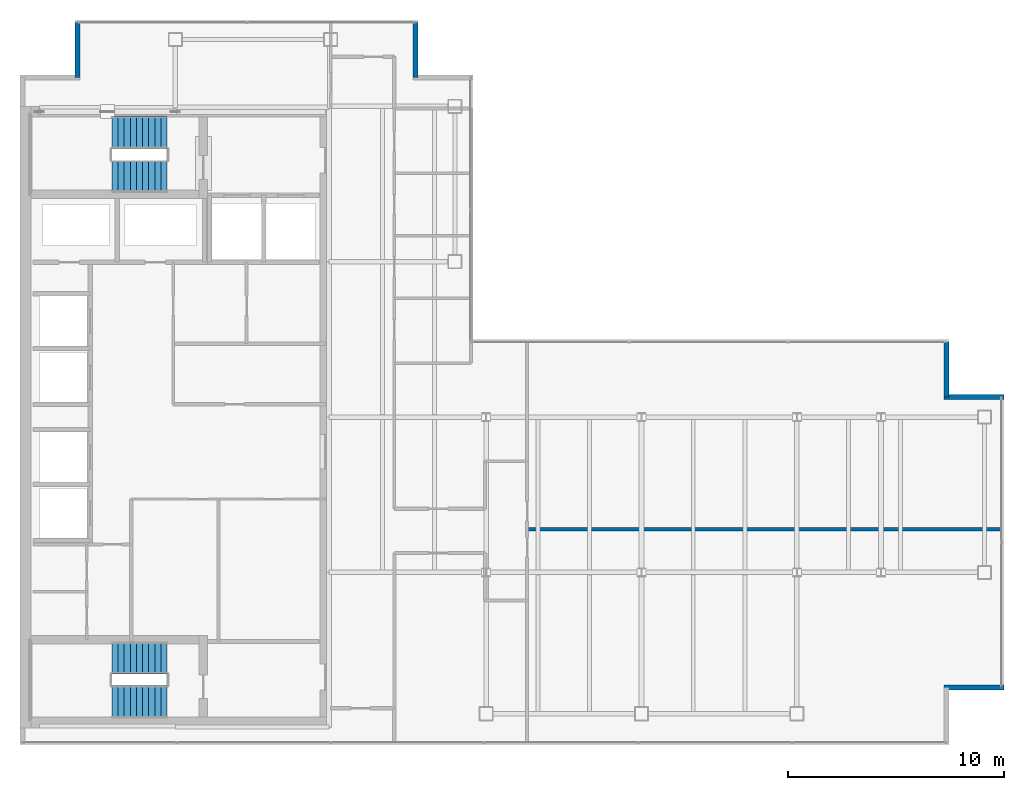
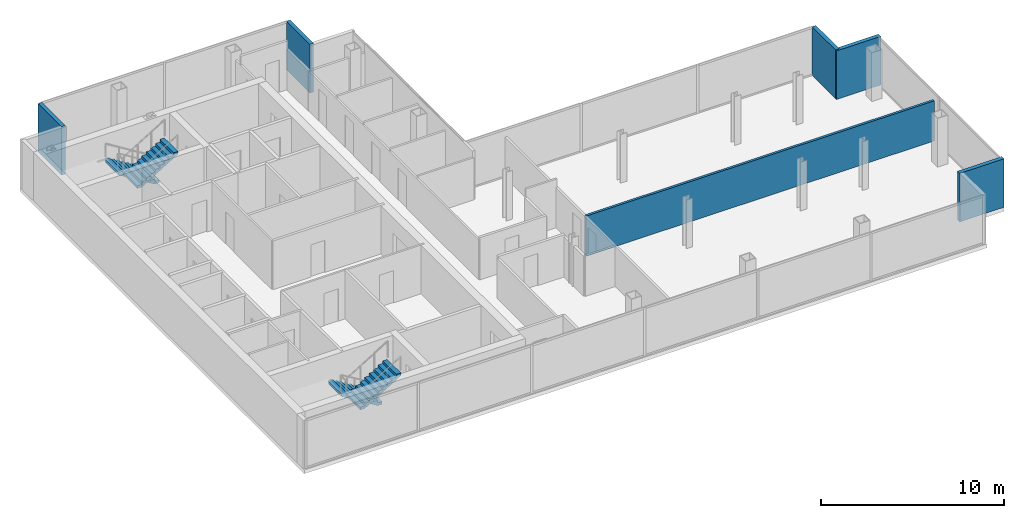
# One storey, part 22 of 23: 6 walls, 4 stair flights, 2 elements without a shape of their own.
"""IFC4 building model written with IfcOpenShell, lengths in metres."""

from ifc_helpers import new_model, si_unit, direction, frame, frame_2d, origin, place, context, subcontext, project, spatial, polyline, rectangle, outline, extrude, material, layer, layer_set, type_object, element, aggregate, save


model = new_model("IFC4")

# Units and contexts
model_context = context("Model", 3, precision=1e-05, world=origin(), true_north=direction((0.0, 1.0)))
body_context = subcontext(model_context, "Body", "Model", "MODEL_VIEW")
ifc_project = project(units=[si_unit("LENGTHUNIT", "METRE"), si_unit("AREAUNIT", "SQUARE_METRE"), si_unit("VOLUMEUNIT", "CUBIC_METRE"), si_unit("PLANEANGLEUNIT", "RADIAN"), si_unit("MASSUNIT", "GRAM", prefix="KILO")], contexts=[model_context])

# Site, building, storey
site_placement = place(None, origin())
site = spatial("IfcSite", under=ifc_project, at=site_placement, CompositionType="ELEMENT")
building_placement = place(site_placement, origin())
building = spatial("IfcBuilding", under=site, at=building_placement, Name="Cobrela Telecom Tower", CompositionType="ELEMENT")
storey_placement = place(building_placement, frame((0.0, 0.0, 255.14990234375)))
storey = spatial("IfcBuildingStorey", under=building, at=storey_placement, Name="L66", CompositionType="ELEMENT", Elevation=255.14990234375)

# Walls
ifc_material_1 = material(Name="Concrete C40/50", Category="concrete")
ifc_layer_1 = layer(ifc_material_1, 0.239990234375)
ifc_layer_set_1 = layer_set([ifc_layer_1], Name="Concrete C40/50")
wall_type_1 = type_object("IfcWallType", Name="WALL-EXT-300", PredefinedType="STANDARD", material=ifc_layer_set_1)
for number, where, z_axis, x_axis, name in (
    (1, (2.669921875, 37.330078125, 0.0), (0.0, 0.0, 1.0), (0.0, 1.0, 0.0), "L66 Insulated Facade Wall 04"),
    (2, (18.330078125, 39.8798828125, 0.0), (0.0, 0.0, 1.0), (0.0, -1.0, 0.0), "L66 Insulated Facade Wall 06"),
):
    element("IfcWall", number, at=place(storey_placement, frame(where, z_axis=z_axis, x_axis=x_axis)), inside=storey, type_object=wall_type_1, Name=name, PredefinedType="STANDARD", context=body_context, shape_type="SweptSolid", body=[
        extrude(rectangle(XDim=2.5498046875, YDim=0.239990234375, at=frame_2d((1.27490234375, 0.0))), origin(), (0.0, 0.0, 1.0), 3.239990234375),
    ])
wall_1_placement = place(storey_placement, frame((42.929931640625, 25.080078125, 0.0), z_axis=(0.0, 0.0, 1.0), x_axis=(0.0, -1.0, 0.0)))
element("IfcWall", 3, at=wall_1_placement, inside=storey, type_object=wall_type_1, Name="L66 Insulated Facade Wall 10", PredefinedType="STANDARD", context=body_context, shape_type="SweptSolid", body=[
    extrude(rectangle(XDim=2.550048828125, YDim=0.239990234375, at=frame_2d((1.27490234375, 0.0))), origin(), (0.0, 0.0, 1.0), 3.239990234375),
])
for number, where, z_axis, x_axis, name in (
    (4, (42.81005859375, 22.530029296875, 0.0), (0.0, 0.0, 1.0), (1.0, 0.0, 0.0), "L66 Insulated Facade Wall 11"),
    (5, (45.60009765625, 9.070068359375, 0.0), (0.0, 0.0, 1.0), (-1.0, 0.0, 0.0), "L66 Insulated Facade Wall 13"),
):
    element("IfcWall", number, at=place(storey_placement, frame(where, z_axis=z_axis, x_axis=x_axis)), inside=storey, type_object=wall_type_1, Name=name, PredefinedType="STANDARD", context=body_context, shape_type="SweptSolid", body=[
        extrude(rectangle(XDim=2.7900390625, YDim=0.239990234375, at=frame_2d((1.39501953125, 0.0))), origin(), (0.0, 0.0, 1.0), 3.239990234375),
    ])
ifc_material_2 = material(Name="Fire-Rated Gypsum Plasterboard")
ifc_layer_2 = layer(ifc_material_2, 0.14990234375)
ifc_layer_set_2 = layer_set([ifc_layer_2], Name="Fire-Rated Gypsum Plasterboard")
wall_type_2 = type_object("IfcWallType", Name="WALL-PART-150", PredefinedType="PARTITIONING", material=ifc_layer_set_2)
wall_2_placement = place(storey_placement, frame((23.5, 16.39990234375, 0.0), z_axis=(0.0, 0.0, 1.0), x_axis=(1.0, 0.0, 0.0)))
element("IfcWall", 6, at=wall_2_placement, inside=storey, type_object=wall_type_2, Name="L66 Interior Partition W-FE-H", PredefinedType="PARTITIONING", context=body_context, shape_type="SweptSolid", body=[
    extrude(rectangle(XDim=21.97998046875, YDim=0.14990234375, at=frame_2d((10.989990234375, 0.0))), origin(), (0.0, 0.0, 1.0), 2.676025390625),
])

# Stair, stair flights
stair_type = type_object("IfcStairType", Name="STAIR-CORE", PredefinedType="HALF_TURN_STAIR", material=ifc_material_1)
stair_1_placement = place(storey_placement, origin())
stair_1 = element("IfcStair", 7, at=stair_1_placement, inside=storey, type_object=stair_type, Name="L66 Smokeproof Exit Stair ST1", PredefinedType="HALF_TURN_STAIR")
stair_flight_type = type_object("IfcStairFlightType", Name="FLIGHT-CORE", PredefinedType="STRAIGHT", material=ifc_material_1)
stair_flight_1_placement = place(storey_placement, frame((6.820068359375, 34.800048828125, 0.0), z_axis=(0.0, 0.0, 1.0), x_axis=(-1.0, 0.0, 0.0)))
stair_flight_1 = element("IfcStairFlight", 8, at=stair_flight_1_placement, type_object=stair_flight_type, Name="ST1 flight 1", NumberOfRisers=10, NumberOfTreads=9, PredefinedType="STRAIGHT", RiserHeight=0.175, TreadLength=0.285, context=body_context, shape_type="SweptSolid", body=[
    extrude(outline(polyline([(0.0, 0.0), (0.0, 0.175048828125), (0.284912109375, 0.175048828125), (0.284912109375, 0.35009765625), (0.570068359375, 0.35009765625), (0.570068359375, 0.52490234375), (0.85498046875, 0.52490234375), (0.85498046875, 0.699951171875), (1.139892578125, 0.699951171875), (1.139892578125, 0.875), (1.425048828125, 0.875), (1.425048828125, 1.050048828125), (1.7099609375, 1.050048828125), (1.7099609375, 1.22509765625), (1.9951171875, 1.22509765625), (1.9951171875, 1.39990234375), (2.280029296875, 1.39990234375), (2.280029296875, 1.574951171875), (2.56494140625, 1.574951171875), (2.56494140625, 1.75), (2.56494140625, 1.399169921875), (0.286376953125, 0.0), (0.0, 0.0)])), frame((0.0, 0.75, 0.0), z_axis=(0.0, -1.0, 0.0), x_axis=(1.0, 0.0, 0.0)), (0.0, 0.0, 1.0), 1.5),
])
stair_flight_2_placement = place(storey_placement, frame((4.2548828125, 32.75, 1.75), z_axis=(0.0, 0.0, 1.0), x_axis=(1.0, 0.0, 0.0)))
stair_flight_2 = element("IfcStairFlight", 9, at=stair_flight_2_placement, type_object=stair_flight_type, Name="ST1 flight 2", NumberOfRisers=10, NumberOfTreads=9, PredefinedType="STRAIGHT", RiserHeight=0.175, TreadLength=0.285, context=body_context, shape_type="SweptSolid", body=[
    extrude(outline(polyline([(0.0, 0.0), (0.0, 0.175048828125), (0.284912109375, 0.175048828125), (0.284912109375, 0.35009765625), (0.570068359375, 0.35009765625), (0.570068359375, 0.52490234375), (0.85498046875, 0.52490234375), (0.85498046875, 0.699951171875), (1.139892578125, 0.699951171875), (1.139892578125, 0.875), (1.425048828125, 0.875), (1.425048828125, 1.050048828125), (1.7099609375, 1.050048828125), (1.7099609375, 1.22509765625), (1.9951171875, 1.22509765625), (1.9951171875, 1.39990234375), (2.280029296875, 1.39990234375), (2.280029296875, 1.574951171875), (2.56494140625, 1.574951171875), (2.56494140625, 1.75), (2.56494140625, 1.399169921875), (0.286376953125, 0.0), (0.0, 0.0)])), frame((0.0, 0.75, 0.0), z_axis=(0.0, -1.0, 0.0), x_axis=(1.0, 0.0, 0.0)), (0.0, 0.0, 1.0), 1.5),
])
aggregate(stair_1, [stair_flight_1, stair_flight_2])

stair_2_placement = place(storey_placement, origin())
stair_2 = element("IfcStair", 10, at=stair_2_placement, inside=storey, type_object=stair_type, Name="L66 Smokeproof Exit Stair ST2", PredefinedType="HALF_TURN_STAIR")
stair_flight_3_placement = place(storey_placement, frame((6.820068359375, 10.449951171875, 0.0), z_axis=(0.0, 0.0, 1.0), x_axis=(-1.0, 0.0, 0.0)))
stair_flight_3 = element("IfcStairFlight", 11, at=stair_flight_3_placement, type_object=stair_flight_type, Name="ST2 flight 1", NumberOfRisers=10, NumberOfTreads=9, PredefinedType="STRAIGHT", RiserHeight=0.175, TreadLength=0.285, context=body_context, shape_type="SweptSolid", body=[
    extrude(outline(polyline([(0.0, 0.0), (0.0, 0.175048828125), (0.284912109375, 0.175048828125), (0.284912109375, 0.35009765625), (0.570068359375, 0.35009765625), (0.570068359375, 0.52490234375), (0.85498046875, 0.52490234375), (0.85498046875, 0.699951171875), (1.139892578125, 0.699951171875), (1.139892578125, 0.875), (1.425048828125, 0.875), (1.425048828125, 1.050048828125), (1.7099609375, 1.050048828125), (1.7099609375, 1.22509765625), (1.9951171875, 1.22509765625), (1.9951171875, 1.39990234375), (2.280029296875, 1.39990234375), (2.280029296875, 1.574951171875), (2.56494140625, 1.574951171875), (2.56494140625, 1.75), (2.56494140625, 1.399169921875), (0.286376953125, 0.0), (0.0, 0.0)])), frame((0.0, 0.75, 0.0), z_axis=(0.0, -1.0, 0.0), x_axis=(1.0, 0.0, 0.0)), (0.0, 0.0, 1.0), 1.5),
])
stair_flight_4_placement = place(storey_placement, frame((4.2548828125, 8.39990234375, 1.75), z_axis=(0.0, 0.0, 1.0), x_axis=(1.0, 0.0, 0.0)))
stair_flight_4 = element("IfcStairFlight", 12, at=stair_flight_4_placement, type_object=stair_flight_type, Name="ST2 flight 2", NumberOfRisers=10, NumberOfTreads=9, PredefinedType="STRAIGHT", RiserHeight=0.175, TreadLength=0.285, context=body_context, shape_type="SweptSolid", body=[
    extrude(outline(polyline([(0.0, 0.0), (0.0, 0.175048828125), (0.284912109375, 0.175048828125), (0.284912109375, 0.35009765625), (0.570068359375, 0.35009765625), (0.570068359375, 0.52490234375), (0.85498046875, 0.52490234375), (0.85498046875, 0.699951171875), (1.139892578125, 0.699951171875), (1.139892578125, 0.875), (1.425048828125, 0.875), (1.425048828125, 1.050048828125), (1.7099609375, 1.050048828125), (1.7099609375, 1.22509765625), (1.9951171875, 1.22509765625), (1.9951171875, 1.39990234375), (2.280029296875, 1.39990234375), (2.280029296875, 1.574951171875), (2.56494140625, 1.574951171875), (2.56494140625, 1.75), (2.56494140625, 1.399169921875), (0.286376953125, 0.0), (0.0, 0.0)])), frame((0.0, 0.75, 0.0), z_axis=(0.0, -1.0, 0.0), x_axis=(1.0, 0.0, 0.0)), (0.0, 0.0, 1.0), 1.5),
])
aggregate(stair_2, [stair_flight_3, stair_flight_4])

save(model, "model.ifc")
